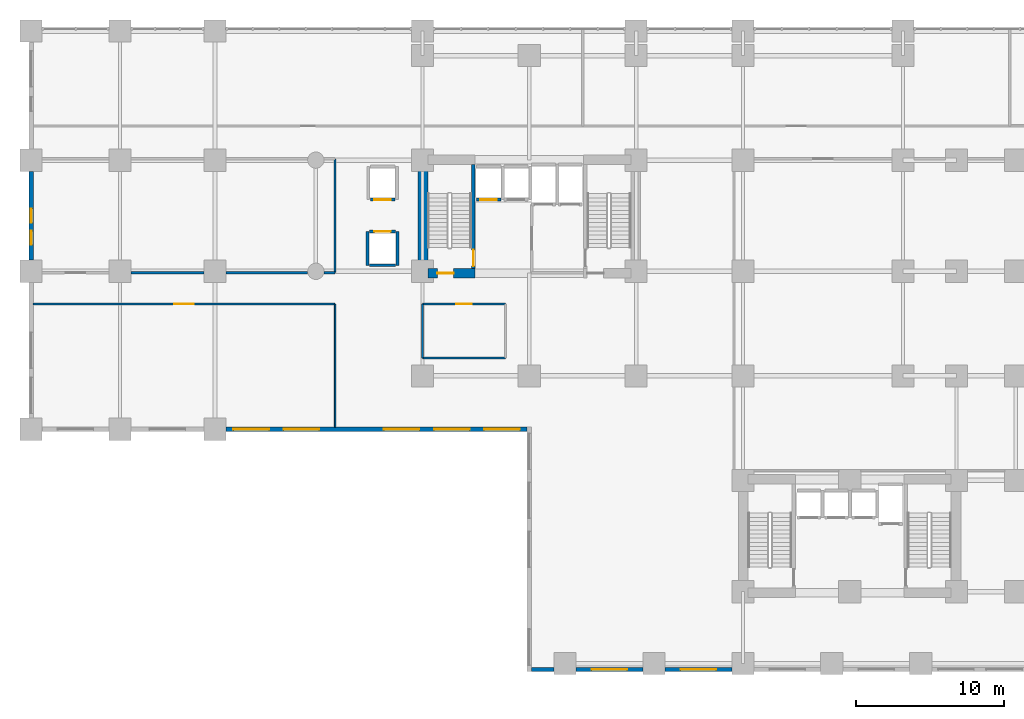
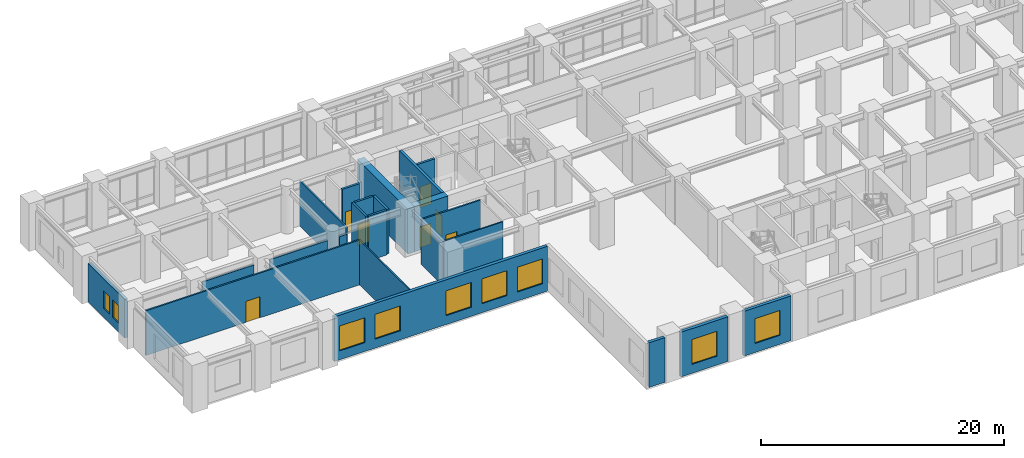
# One storey, part 15 of 22: 23 walls, 9 windows, 7 doors, 16 openings.
"""IFC4 building model written with IfcOpenShell, lengths in metres."""

from ifc_helpers import new_model, si_unit, direction, frame, frame_2d, origin, place, context, subcontext, project, spatial, rectangle, extrude, material, layer, layer_set, type_object, element, fill, save


model = new_model("IFC4")

# Units and contexts
model_context = context("Model", 3, precision=1e-05, world=origin(), true_north=direction((0.0, 1.0)))
body_context = subcontext(model_context, "Body", "Model", "MODEL_VIEW")
ifc_project = project(units=[si_unit("LENGTHUNIT", "METRE"), si_unit("AREAUNIT", "SQUARE_METRE"), si_unit("VOLUMEUNIT", "CUBIC_METRE"), si_unit("PLANEANGLEUNIT", "RADIAN"), si_unit("MASSUNIT", "GRAM", prefix="KILO")], contexts=[model_context])

# Site, building, storey
site_placement = place(None, origin())
site = spatial("IfcSite", under=ifc_project, at=site_placement, CompositionType="ELEMENT")
building_placement = place(site_placement, origin())
building = spatial("IfcBuilding", under=site, at=building_placement, Name="Kaliganga Portal Commons", CompositionType="ELEMENT")
storey_placement = place(building_placement, frame((0.0, 0.0, 5.39990234375)))
storey = spatial("IfcBuildingStorey", under=building, at=storey_placement, Name="L01", CompositionType="ELEMENT", Elevation=5.39990234375)

# Wall
ifc_material_1 = material(Name="Concrete C70/85", Category="concrete")
ifc_layer_1 = layer(ifc_material_1, 0.64990234375)
ifc_layer_set_1 = layer_set([ifc_layer_1], Name="Concrete C70/85")
wall_type_1 = type_object("IfcWallType", Name="WL-CORE-650", PredefinedType="SHEAR", material=ifc_layer_set_1)
wall_1_placement = place(storey_placement, frame((14.425048828125, 28.199951171875, 0.0), z_axis=(0.0, 0.0, 1.0), x_axis=(0.0, 1.0, 0.0)))
element("IfcWall", 1, at=wall_1_placement, inside=storey, type_object=wall_type_1, Name="Core A West Shear Wall L01", PredefinedType="SHEAR", context=body_context, shape_type="SweptSolid", body=[
    extrude(rectangle(XDim=8.300048828125, YDim=0.64990234375, at=frame_2d((4.14990234375, 0.0))), origin(), (0.0, 0.0, 1.0), 4.52001953125),
])

# Wall, opening, door
wall_2_placement = place(storey_placement, frame((14.75, 28.52490234375, 0.0), z_axis=(0.0, 0.0, 1.0), x_axis=(1.0, 0.0, 0.0)))
wall_2 = element("IfcWall", 2, at=wall_2_placement, inside=storey, type_object=wall_type_1, Name="Core A S-West Shear Wall L01", PredefinedType="SHEAR", context=body_context, shape_type="SweptSolid", body=[
    extrude(rectangle(XDim=3.199951171875, YDim=0.64990234375, at=frame_2d((1.60009765625, 0.0))), origin(), (0.0, 0.0, 1.0), 4.52001953125),
])
opening_1_placement = place(wall_2_placement, frame((0.64990234375, 0.0, 0.0)))
opening_1 = element("IfcOpeningElement", 3, at=opening_1_placement, cuts=wall_2, Name="Opening SD-01", PredefinedType="OPENING", context=body_context, shape_type="SweptSolid", body=[
    extrude(rectangle(XDim=1.10009765625, YDim=2.080078125, at=frame_2d((0.550048828125, 1.0400390625))), frame((0.0, 0.3349609375, 0.0), z_axis=(0.0, -1.0, 0.0), x_axis=(1.0, 0.0, 0.0)), (0.0, 0.0, 1.0), 0.669921875),
])
ifc_material_2 = material(Name="Galvanized Steel Fire Door Leaf and Frame", Category="steel")
door_type_1 = type_object("IfcDoorType", Name="DR-STAIR-1100", OperationType="NOTDEFINED", PredefinedType="DOOR", material=ifc_material_2)
door_1_placement = place(opening_1_placement, origin())
door_1 = element("IfcDoor", 4, at=door_1_placement, inside=storey, type_object=door_type_1, Name="Protected Stair ST-A1 Concourse Fire Door L01", OperationType="SINGLE_SWING_LEFT", OverallHeight=2.080078125, OverallWidth=1.10009765625, PredefinedType="DOOR", context=body_context, shape_type="SweptSolid", body=[
    extrude(rectangle(XDim=1.10009765625, YDim=2.080078125, at=frame_2d((0.550048828125, 1.0400390625))), frame((0.0, 0.02490234375, 0.0), z_axis=(0.0, -1.0, 0.0), x_axis=(1.0, 0.0, 0.0)), (0.0, 0.0, 1.0), 0.050048828125),
])
fill(opening_1, door_1)

# Wall
ifc_material_3 = material(Name="Precast concrete C40/50", Category="concrete")
ifc_layer_2 = layer(ifc_material_3, 0.300048828125)
ifc_layer_set_2 = layer_set([ifc_layer_2], Name="Precast concrete C40/50")
wall_type_2 = type_object("IfcWallType", Name="WL-EXT-POD-300", PredefinedType="STANDARD", material=ifc_layer_set_2)
wall_3_placement = place(storey_placement, frame((23.2490234375, 1.800048828125, 0.0), z_axis=(0.0, 0.0, 1.0), x_axis=(-1.0, 0.0, 0.0)))
element("IfcWall", 5, at=wall_3_placement, inside=storey, type_object=wall_type_2, Name="Exterior Envelope Wall L01 P1-E00-S1", PredefinedType="STANDARD", context=body_context, shape_type="SweptSolid", body=[
    extrude(rectangle(XDim=1.494140625, YDim=0.300048828125, at=frame_2d((0.7470703125, 0.0))), origin(), (0.0, 0.0, 1.0), 4.5),
])

# Wall, opening, window
wall_4_placement = place(storey_placement, frame((29.2490234375, 1.800048828125, 0.0), z_axis=(0.0, 0.0, 1.0), x_axis=(-1.0, 0.0, 0.0)))
wall_4 = element("IfcWall", 6, at=wall_4_placement, inside=storey, type_object=wall_type_2, Name="Exterior Envelope Wall L01 P1-E00-S2", PredefinedType="STANDARD", context=body_context, shape_type="SweptSolid", body=[
    extrude(rectangle(XDim=4.498046875, YDim=0.300048828125, at=frame_2d((2.2490234375, 0.0))), origin(), (0.0, 0.0, 1.0), 4.5),
])
opening_2_placement = place(wall_4_placement, frame((1.049072265625, 0.0, 0.89990234375)))
opening_2 = element("IfcOpeningElement", 7, at=opening_2_placement, cuts=wall_4, Name="Opening W-05", PredefinedType="OPENING", context=body_context, shape_type="SweptSolid", body=[
    extrude(rectangle(XDim=2.39990234375, YDim=2.5, at=frame_2d((1.199951171875, 1.25))), frame((0.0, 0.16015625, 0.0), z_axis=(0.0, -1.0, 0.0), x_axis=(1.0, 0.0, 0.0)), (0.0, 0.0, 1.0), 0.320068359375),
])
ifc_material_4 = material(Name="Thermally Broken Aluminium and Low-E Double Glazing", Category="aluminium")
window_type_1 = type_object("IfcWindowType", Name="WIN-POD-2400", PartitioningType="TRIPLE_PANEL_VERTICAL", PredefinedType="WINDOW", material=ifc_material_4)
window_1_placement = place(opening_2_placement, origin())
window_1 = element("IfcWindow", 8, at=window_1_placement, inside=storey, type_object=window_type_1, Name="Facade Window L01-P1E00S2-00", OverallHeight=2.5, OverallWidth=2.39990234375, PartitioningType="SINGLE_PANEL", PredefinedType="WINDOW", context=body_context, shape_type="SweptSolid", body=[
    extrude(rectangle(XDim=2.39990234375, YDim=2.5, at=frame_2d((1.199951171875, 1.25))), frame((0.0, 0.030029296875, 0.0), z_axis=(0.0, -1.0, 0.0), x_axis=(1.0, 0.0, 0.0)), (0.0, 0.0, 1.0), 0.06005859375),
])
fill(opening_2, window_1)

wall_5_placement = place(storey_placement, frame((35.2490234375, 1.800048828125, 0.0), z_axis=(0.0, 0.0, 1.0), x_axis=(-1.0, 0.0, 0.0)))
wall_5 = element("IfcWall", 9, at=wall_5_placement, inside=storey, type_object=wall_type_2, Name="Exterior Envelope Wall L01 P1-E00-S3", PredefinedType="STANDARD", context=body_context, shape_type="SweptSolid", body=[
    extrude(rectangle(XDim=4.498046875, YDim=0.300048828125, at=frame_2d((2.2490234375, 0.0))), origin(), (0.0, 0.0, 1.0), 4.5),
])
opening_3_placement = place(wall_5_placement, frame((1.049072265625, 0.0, 0.89990234375)))
opening_3 = element("IfcOpeningElement", 10, at=opening_3_placement, cuts=wall_5, Name="Opening W-05", PredefinedType="OPENING", context=body_context, shape_type="SweptSolid", body=[
    extrude(rectangle(XDim=2.39990234375, YDim=2.5, at=frame_2d((1.199951171875, 1.25))), frame((0.0, 0.16015625, 0.0), z_axis=(0.0, -1.0, 0.0), x_axis=(1.0, 0.0, 0.0)), (0.0, 0.0, 1.0), 0.320068359375),
])
window_2_placement = place(opening_3_placement, origin())
window_2 = element("IfcWindow", 11, at=window_2_placement, inside=storey, type_object=window_type_1, Name="Facade Window L01-P1E00S3-00", OverallHeight=2.5, OverallWidth=2.39990234375, PartitioningType="SINGLE_PANEL", PredefinedType="WINDOW", context=body_context, shape_type="SweptSolid", body=[
    extrude(rectangle(XDim=2.39990234375, YDim=2.5, at=frame_2d((1.199951171875, 1.25))), frame((0.0, 0.030029296875, 0.0), z_axis=(0.0, -1.0, 0.0), x_axis=(1.0, 0.0, 0.0)), (0.0, 0.0, 1.0), 0.06005859375),
])
fill(opening_3, window_2)

# Wall, openings, windows
wall_6_placement = place(storey_placement, frame((-12.0, 29.40087890625, 0.0), z_axis=(0.0, 0.0, 1.0), x_axis=(0.0, 1.0, 0.0)))
wall_6 = element("IfcWall", 12, at=wall_6_placement, inside=storey, type_object=wall_type_2, Name="Exterior Envelope Wall L01 P1-E03-S2", PredefinedType="STANDARD", context=body_context, shape_type="SweptSolid", body=[
    extrude(rectangle(XDim=5.998046875, YDim=0.300048828125, at=frame_2d((2.9990234375, 0.0))), origin(), (0.0, 0.0, 1.0), 3.900146484375),
])
opening_4_placement = place(wall_6_placement, frame((2.52392578125, 0.0, 0.89990234375)))
opening_4 = element("IfcOpeningElement", 13, at=opening_4_placement, cuts=wall_6, Name="Opening W-04", PredefinedType="OPENING", context=body_context, shape_type="SweptSolid", body=[
    extrude(rectangle(XDim=0.949951171875, YDim=1.75, at=frame_2d((0.47509765625, 0.875))), frame((0.0, 0.16015625, 0.0), z_axis=(0.0, -1.0, 0.0), x_axis=(1.0, 0.0, 0.0)), (0.0, 0.0, 1.0), 0.320068359375),
])
opening_5_placement = place(wall_6_placement, frame((1.03662109375, 0.0, 0.89990234375)))
opening_5 = element("IfcOpeningElement", 14, at=opening_5_placement, cuts=wall_6, Name="Opening W-04", PredefinedType="OPENING", context=body_context, shape_type="SweptSolid", body=[
    extrude(rectangle(XDim=0.949951171875, YDim=1.75, at=frame_2d((0.47509765625, 0.875))), frame((0.0, 0.16015625, 0.0), z_axis=(0.0, -1.0, 0.0), x_axis=(1.0, 0.0, 0.0)), (0.0, 0.0, 1.0), 0.320068359375),
])
window_type_2 = type_object("IfcWindowType", Name="WIN-NARROW-950", PartitioningType="SINGLE_PANEL", PredefinedType="WINDOW", material=ifc_material_4)
window_3_placement = place(opening_4_placement, origin())
window_3 = element("IfcWindow", 15, at=window_3_placement, inside=storey, type_object=window_type_2, Name="Facade Window L01-P1E03S2-N0", OverallHeight=1.75, OverallWidth=0.949951171875, PartitioningType="SINGLE_PANEL", PredefinedType="WINDOW", context=body_context, shape_type="SweptSolid", body=[
    extrude(rectangle(XDim=0.949951171875, YDim=1.75, at=frame_2d((0.47509765625, 0.875))), frame((0.0, 0.030029296875, 0.0), z_axis=(0.0, -1.0, 0.0), x_axis=(1.0, 0.0, 0.0)), (0.0, 0.0, 1.0), 0.06005859375),
])
fill(opening_4, window_3)
window_4_placement = place(opening_5_placement, origin())
window_4 = element("IfcWindow", 16, at=window_4_placement, inside=storey, type_object=window_type_2, Name="Facade Window L01-P1E03S2-N1", OverallHeight=1.75, OverallWidth=0.949951171875, PartitioningType="SINGLE_PANEL", PredefinedType="WINDOW", context=body_context, shape_type="SweptSolid", body=[
    extrude(rectangle(XDim=0.949951171875, YDim=1.75, at=frame_2d((0.47509765625, 0.875))), frame((0.0, 0.030029296875, 0.0), z_axis=(0.0, -1.0, 0.0), x_axis=(1.0, 0.0, 0.0)), (0.0, 0.0, 1.0), 0.06005859375),
])
fill(opening_5, window_4)

wall_7_placement = place(storey_placement, frame((21.445068359375, 18.0, 0.0), z_axis=(0.0, 0.0, 1.0), x_axis=(-1.0, 0.0, 0.0)))
wall_7 = element("IfcWall", 17, at=wall_7_placement, inside=storey, type_object=wall_type_2, Name="Exterior Envelope Wall L01 P1-E04-S3", PredefinedType="STANDARD", context=body_context, shape_type="SweptSolid", body=[
    extrude(rectangle(XDim=20.294189453125, YDim=0.300048828125, at=frame_2d((10.14697265625, 0.0))), origin(), (0.0, 0.0, 1.0), 4.5),
])
opening_6_placement = place(wall_7_placement, frame((0.4912109375, 0.0, 0.89990234375)))
opening_6 = element("IfcOpeningElement", 18, at=opening_6_placement, cuts=wall_7, Name="Opening W-05", PredefinedType="OPENING", context=body_context, shape_type="SweptSolid", body=[
    extrude(rectangle(XDim=2.39990234375, YDim=2.5, at=frame_2d((1.199951171875, 1.25))), frame((0.0, 0.16015625, 0.0), z_axis=(0.0, -1.0, 0.0), x_axis=(1.0, 0.0, 0.0)), (0.0, 0.0, 1.0), 0.320068359375),
])
opening_7_placement = place(wall_7_placement, frame((3.87353515625, 0.0, 0.89990234375)))
opening_7 = element("IfcOpeningElement", 19, at=opening_7_placement, cuts=wall_7, Name="Opening W-05", PredefinedType="OPENING", context=body_context, shape_type="SweptSolid", body=[
    extrude(rectangle(XDim=2.39990234375, YDim=2.5, at=frame_2d((1.199951171875, 1.25))), frame((0.0, 0.16015625, 0.0), z_axis=(0.0, -1.0, 0.0), x_axis=(1.0, 0.0, 0.0)), (0.0, 0.0, 1.0), 0.320068359375),
])
opening_8_placement = place(wall_7_placement, frame((7.255859375, 0.0, 0.89990234375)))
opening_8 = element("IfcOpeningElement", 20, at=opening_8_placement, cuts=wall_7, Name="Opening W-05", PredefinedType="OPENING", context=body_context, shape_type="SweptSolid", body=[
    extrude(rectangle(XDim=2.39990234375, YDim=2.5, at=frame_2d((1.199951171875, 1.25))), frame((0.0, 0.16015625, 0.0), z_axis=(0.0, -1.0, 0.0), x_axis=(1.0, 0.0, 0.0)), (0.0, 0.0, 1.0), 0.320068359375),
])
opening_9_placement = place(wall_7_placement, frame((14.0205078125, 0.0, 0.89990234375)))
opening_9 = element("IfcOpeningElement", 21, at=opening_9_placement, cuts=wall_7, Name="Opening W-05", PredefinedType="OPENING", context=body_context, shape_type="SweptSolid", body=[
    extrude(rectangle(XDim=2.39990234375, YDim=2.5, at=frame_2d((1.199951171875, 1.25))), frame((0.0, 0.16015625, 0.0), z_axis=(0.0, -1.0, 0.0), x_axis=(1.0, 0.0, 0.0)), (0.0, 0.0, 1.0), 0.320068359375),
])
opening_10_placement = place(wall_7_placement, frame((17.40283203125, 0.0, 0.89990234375)))
opening_10 = element("IfcOpeningElement", 22, at=opening_10_placement, cuts=wall_7, Name="Opening W-05", PredefinedType="OPENING", context=body_context, shape_type="SweptSolid", body=[
    extrude(rectangle(XDim=2.39990234375, YDim=2.5, at=frame_2d((1.199951171875, 1.25))), frame((0.0, 0.16015625, 0.0), z_axis=(0.0, -1.0, 0.0), x_axis=(1.0, 0.0, 0.0)), (0.0, 0.0, 1.0), 0.320068359375),
])
window_5_placement = place(opening_6_placement, origin())
window_5 = element("IfcWindow", 23, at=window_5_placement, inside=storey, type_object=window_type_1, Name="Facade Window L01-P1E04S3-00", OverallHeight=2.5, OverallWidth=2.39990234375, PartitioningType="SINGLE_PANEL", PredefinedType="WINDOW", context=body_context, shape_type="SweptSolid", body=[
    extrude(rectangle(XDim=2.39990234375, YDim=2.5, at=frame_2d((1.199951171875, 1.25))), frame((0.0, 0.030029296875, 0.0), z_axis=(0.0, -1.0, 0.0), x_axis=(1.0, 0.0, 0.0)), (0.0, 0.0, 1.0), 0.06005859375),
])
fill(opening_6, window_5)
window_6_placement = place(opening_7_placement, origin())
window_6 = element("IfcWindow", 24, at=window_6_placement, inside=storey, type_object=window_type_1, Name="Facade Window L01-P1E04S3-01", OverallHeight=2.5, OverallWidth=2.39990234375, PartitioningType="SINGLE_PANEL", PredefinedType="WINDOW", context=body_context, shape_type="SweptSolid", body=[
    extrude(rectangle(XDim=2.39990234375, YDim=2.5, at=frame_2d((1.199951171875, 1.25))), frame((0.0, 0.030029296875, 0.0), z_axis=(0.0, -1.0, 0.0), x_axis=(1.0, 0.0, 0.0)), (0.0, 0.0, 1.0), 0.06005859375),
])
fill(opening_7, window_6)
window_7_placement = place(opening_8_placement, origin())
window_7 = element("IfcWindow", 25, at=window_7_placement, inside=storey, type_object=window_type_1, Name="Facade Window L01-P1E04S3-02", OverallHeight=2.5, OverallWidth=2.39990234375, PartitioningType="SINGLE_PANEL", PredefinedType="WINDOW", context=body_context, shape_type="SweptSolid", body=[
    extrude(rectangle(XDim=2.39990234375, YDim=2.5, at=frame_2d((1.199951171875, 1.25))), frame((0.0, 0.030029296875, 0.0), z_axis=(0.0, -1.0, 0.0), x_axis=(1.0, 0.0, 0.0)), (0.0, 0.0, 1.0), 0.06005859375),
])
fill(opening_8, window_7)
window_8_placement = place(opening_9_placement, origin())
window_8 = element("IfcWindow", 26, at=window_8_placement, inside=storey, type_object=window_type_1, Name="Facade Window L01-P1E04S3-04", OverallHeight=2.5, OverallWidth=2.39990234375, PartitioningType="SINGLE_PANEL", PredefinedType="WINDOW", context=body_context, shape_type="SweptSolid", body=[
    extrude(rectangle(XDim=2.39990234375, YDim=2.5, at=frame_2d((1.199951171875, 1.25))), frame((0.0, 0.030029296875, 0.0), z_axis=(0.0, -1.0, 0.0), x_axis=(1.0, 0.0, 0.0)), (0.0, 0.0, 1.0), 0.06005859375),
])
fill(opening_9, window_8)
window_9_placement = place(opening_10_placement, origin())
window_9 = element("IfcWindow", 27, at=window_9_placement, inside=storey, type_object=window_type_1, Name="Facade Window L01-P1E04S3-05", OverallHeight=2.5, OverallWidth=2.39990234375, PartitioningType="SINGLE_PANEL", PredefinedType="WINDOW", context=body_context, shape_type="SweptSolid", body=[
    extrude(rectangle(XDim=2.39990234375, YDim=2.5, at=frame_2d((1.199951171875, 1.25))), frame((0.0, 0.030029296875, 0.0), z_axis=(0.0, -1.0, 0.0), x_axis=(1.0, 0.0, 0.0)), (0.0, 0.0, 1.0), 0.06005859375),
])
fill(opening_10, window_9)

# Wall, opening, door
ifc_material_5 = material(Name="Fire-Rated Gypsum Board on Steel Stud", Category="steel")
ifc_layer_3 = layer(ifc_material_5, 0.14990234375)
ifc_layer_set_3 = layer_set([ifc_layer_3], Name="Fire-Rated Gypsum Board on Steel Stud")
wall_type_3 = type_object("IfcWallType", Name="WL-PART-CORR-150", PredefinedType="PARTITIONING", material=ifc_layer_set_3)
wall_8_placement = place(storey_placement, frame((-11.867919921875, 26.43994140625, 0.0), z_axis=(0.0, 0.0, 1.0), x_axis=(1.0, 0.0, 0.0)))
wall_8 = element("IfcWall", 28, at=wall_8_placement, inside=storey, type_object=wall_type_3, Name="Interior Partition L01-012", PredefinedType="PARTITIONING", context=body_context, shape_type="SweptSolid", body=[
    extrude(rectangle(XDim=20.367919921875, YDim=0.14990234375, at=frame_2d((10.18408203125, 0.0))), origin(), (0.0, 0.0, 1.0), 4.5),
])
opening_11_placement = place(wall_8_placement, frame((9.533935546875, 0.0, 0.0)))
opening_11 = element("IfcOpeningElement", 29, at=opening_11_placement, cuts=wall_8, Name="Opening RD-03", PredefinedType="OPENING", context=body_context, shape_type="SweptSolid", body=[
    extrude(rectangle(XDim=1.300048828125, YDim=2.1201171875, at=frame_2d((0.64990234375, 1.06005859375))), frame((0.0, 0.0849609375, 0.0), z_axis=(0.0, -1.0, 0.0), x_axis=(1.0, 0.0, 0.0)), (0.0, 0.0, 1.0), 0.169921875),
])
ifc_material_6 = material(Name="Glazed Timber Seminar Vision Door", Category="wood")
door_type_2 = type_object("IfcDoorType", Name="DR-STUDY-1300", OperationType="DOUBLE_DOOR_SINGLE_SWING", PredefinedType="DOOR", material=ifc_material_6)
door_2_placement = place(opening_11_placement, origin())
door_2 = element("IfcDoor", 30, at=door_2_placement, inside=storey, type_object=door_type_2, Name="Interior Door L01-SEMINAR", OperationType="DOUBLE_DOOR_SINGLE_SWING", OverallHeight=2.1201171875, OverallWidth=1.300048828125, PredefinedType="DOOR", context=body_context, shape_type="SweptSolid", body=[
    extrude(rectangle(XDim=1.300048828125, YDim=2.1201171875, at=frame_2d((0.64990234375, 1.06005859375))), frame((0.0, 0.02490234375, 0.0), z_axis=(0.0, -1.0, 0.0), x_axis=(1.0, 0.0, 0.0)), (0.0, 0.0, 1.0), 0.050048828125),
])
fill(opening_11, door_2)

# Walls
wall_9_placement = place(storey_placement, frame((-5.25, 28.56005859375, 0.0), z_axis=(0.0, 0.0, 1.0), x_axis=(1.0, 0.0, 0.0)))
element("IfcWall", 31, at=wall_9_placement, inside=storey, type_object=wall_type_3, Name="Interior Partition L01-014", PredefinedType="PARTITIONING", context=body_context, shape_type="SweptSolid", body=[
    extrude(rectangle(XDim=4.89990234375, YDim=0.14990234375, at=frame_2d((2.449951171875, 0.0))), origin(), (0.0, 0.0, 1.0), 3.800048828125),
])
wall_10_placement = place(storey_placement, frame((1.14990234375, 28.56005859375, 0.0), z_axis=(0.0, 0.0, 1.0), x_axis=(1.0, 0.0, 0.0)))
element("IfcWall", 32, at=wall_10_placement, inside=storey, type_object=wall_type_3, Name="Interior Partition L01-015", PredefinedType="PARTITIONING", context=body_context, shape_type="SweptSolid", body=[
    extrude(rectangle(XDim=5.5, YDim=0.14990234375, at=frame_2d((2.75, 0.0))), origin(), (0.0, 0.0, 1.0), 3.800048828125),
])
wall_11_placement = place(storey_placement, frame((7.75, 28.56005859375, 0.0), z_axis=(0.0, 0.0, 1.0), x_axis=(1.0, 0.0, 0.0)))
element("IfcWall", 33, at=wall_11_placement, inside=storey, type_object=wall_type_3, Name="Interior Partition L01-016", PredefinedType="PARTITIONING", context=body_context, shape_type="SweptSolid", body=[
    extrude(rectangle(XDim=0.75, YDim=0.14990234375, at=frame_2d((0.375, 0.0))), origin(), (0.0, 0.0, 1.0), 3.800048828125),
])
wall_12_placement = place(storey_placement, frame((8.5, 28.56005859375, 0.0), z_axis=(0.0, 0.0, 1.0), x_axis=(0.0, 1.0, 0.0)))
element("IfcWall", 34, at=wall_12_placement, inside=storey, type_object=wall_type_3, Name="Interior Partition L01-022", PredefinedType="PARTITIONING", context=body_context, shape_type="SweptSolid", body=[
    extrude(rectangle(XDim=7.679931640625, YDim=0.14990234375, at=frame_2d((3.83984375, 0.0))), origin(), (0.0, 0.0, 1.0), 4.5),
])

# Wall, opening, door
wall_13_placement = place(storey_placement, frame((14.39990234375, 26.43994140625, 0.0), z_axis=(0.0, 0.0, 1.0), x_axis=(1.0, 0.0, 0.0)))
wall_13 = element("IfcWall", 35, at=wall_13_placement, inside=storey, type_object=wall_type_3, Name="Interior Partition L01-023", PredefinedType="PARTITIONING", context=body_context, shape_type="SweptSolid", body=[
    extrude(rectangle(XDim=5.60009765625, YDim=0.14990234375, at=frame_2d((2.800048828125, 0.0))), origin(), (0.0, 0.0, 1.0), 4.5),
])
opening_12_placement = place(wall_13_placement, frame((2.27490234375, 0.0, 0.0)))
opening_12 = element("IfcOpeningElement", 36, at=opening_12_placement, cuts=wall_13, Name="Opening UD-02", PredefinedType="OPENING", context=body_context, shape_type="SweptSolid", body=[
    extrude(rectangle(XDim=1.050048828125, YDim=2.1201171875, at=frame_2d((0.52490234375, 1.06005859375))), frame((0.0, 0.0849609375, 0.0), z_axis=(0.0, -1.0, 0.0), x_axis=(1.0, 0.0, 0.0)), (0.0, 0.0, 1.0), 0.169921875),
])
ifc_material_7 = material(Name="Accessible Wide-Leaf Acoustic Fire Door", Category="wood")
door_type_3 = type_object("IfcDoorType", Name="DR-ACC-1050", OperationType="NOTDEFINED", PredefinedType="DOOR", material=ifc_material_7)
door_3_placement = place(opening_12_placement, origin())
door_3 = element("IfcDoor", 37, at=door_3_placement, inside=storey, type_object=door_type_3, Name="Interior Door L01-L01WC", OperationType="SINGLE_SWING_LEFT", OverallHeight=2.1201171875, OverallWidth=1.050048828125, PredefinedType="DOOR", context=body_context, shape_type="SweptSolid", body=[
    extrude(rectangle(XDim=1.050048828125, YDim=2.1201171875, at=frame_2d((0.52490234375, 1.06005859375))), frame((0.0, 0.02490234375, 0.0), z_axis=(0.0, -1.0, 0.0), x_axis=(1.0, 0.0, 0.0)), (0.0, 0.0, 1.0), 0.050048828125),
])
fill(opening_12, door_3)

# Walls
ifc_material_8 = material(Name="Moisture-Resistant Gypsum Partition", Category="gypsum")
ifc_layer_4 = layer(ifc_material_8, 0.114990234375)
ifc_layer_set_4 = layer_set([ifc_layer_4], Name="Moisture-Resistant Gypsum Partition")
wall_type_4 = type_object("IfcWallType", Name="WL-PART-ROOM-115", PredefinedType="PARTITIONING", material=ifc_layer_set_4)
wall_14_placement = place(storey_placement, frame((8.5, 18.132080078125, 0.0), z_axis=(0.0, 0.0, 1.0), x_axis=(0.0, 1.0, 0.0)))
element("IfcWall", 38, at=wall_14_placement, inside=storey, type_object=wall_type_4, Name="Interior Partition L01-030", PredefinedType="PARTITIONING", context=body_context, shape_type="SweptSolid", body=[
    extrude(rectangle(XDim=8.307861328125, YDim=0.114990234375, at=frame_2d((4.15380859375, 0.0))), origin(), (0.0, 0.0, 1.0), 4.5),
])
ifc_material_9 = material(Name="Cement-Board Wet-Room Partition", Category="gypsum")
ifc_layer_5 = layer(ifc_material_9, 0.135009765625)
ifc_layer_set_5 = layer_set([ifc_layer_5], Name="Cement-Board Wet-Room Partition")
wall_type_5 = type_object("IfcWallType", Name="WL-PART-WET-135", PredefinedType="PARTITIONING", material=ifc_layer_set_5)
wall_15_placement = place(storey_placement, frame((14.39990234375, 22.800048828125, 0.0), z_axis=(0.0, 0.0, 1.0), x_axis=(1.0, 0.0, 0.0)))
element("IfcWall", 39, at=wall_15_placement, inside=storey, type_object=wall_type_5, Name="Interior Partition L01-033", PredefinedType="PARTITIONING", context=body_context, shape_type="SweptSolid", body=[
    extrude(rectangle(XDim=5.60009765625, YDim=0.135009765625, at=frame_2d((2.800048828125, 0.0))), origin(), (0.0, 0.0, 1.0), 4.5),
])
wall_16_placement = place(storey_placement, frame((14.39990234375, 22.800048828125, 0.0), z_axis=(0.0, 0.0, 1.0), x_axis=(0.0, 1.0, 0.0)))
element("IfcWall", 40, at=wall_16_placement, inside=storey, type_object=wall_type_5, Name="Interior Partition L01-035", PredefinedType="PARTITIONING", context=body_context, shape_type="SweptSolid", body=[
    extrude(rectangle(XDim=3.639892578125, YDim=0.135009765625, at=frame_2d((1.81982421875, 0.0))), origin(), (0.0, 0.0, 1.0), 3.900146484375),
])

# Wall, opening, door
ifc_material_10 = material(Name="Fire-Rated Shaftwall Masonry Assembly", Category="masonry")
ifc_layer_6 = layer(ifc_material_10, 0.199951171875)
ifc_layer_set_6 = layer_set([ifc_layer_6], Name="Fire-Rated Shaftwall Masonry Assembly")
wall_type_6 = type_object("IfcWallType", Name="WL-SHAFT-200", PredefinedType="PARTITIONING", material=ifc_layer_set_6)
wall_17_placement = place(storey_placement, frame((18.02490234375, 33.485107421875, 0.0), z_axis=(0.0, 0.0, 1.0), x_axis=(1.0, 0.0, 0.0)))
wall_17 = element("IfcWall", 41, at=wall_17_placement, inside=storey, type_object=wall_type_6, Name="Lift PL-A1 Hoistway Shaft Wall L01-S", PredefinedType="PARTITIONING", context=body_context, shape_type="SweptSolid", body=[
    extrude(rectangle(XDim=1.650146484375, YDim=0.199951171875, at=frame_2d((0.8251953125, 0.0))), origin(), (0.0, 0.0, 1.0), 4.5),
])
opening_13_placement = place(wall_17_placement, frame((0.27490234375, 0.0, 0.0)))
opening_13 = element("IfcOpeningElement", 42, at=opening_13_placement, cuts=wall_17, Name="Opening LD-01", PredefinedType="OPENING", context=body_context, shape_type="SweptSolid", body=[
    extrude(rectangle(XDim=1.10009765625, YDim=2.1201171875, at=frame_2d((0.550048828125, 1.06005859375))), frame((0.0, 0.10986328125, 0.0), z_axis=(0.0, -1.0, 0.0), x_axis=(1.0, 0.0, 0.0)), (0.0, 0.0, 1.0), 0.219970703125),
])
ifc_material_11 = material(Name="Brushed Stainless Steel 316 Lift Landing Door", Category="steel")
door_type_4 = type_object("IfcDoorType", Name="DR-LIFT-1100", OperationType="SLIDING_TO_LEFT", PredefinedType="DOOR", material=ifc_material_11)
door_4_placement = place(opening_13_placement, origin())
door_4 = element("IfcDoor", 43, at=door_4_placement, inside=storey, type_object=door_type_4, Name="Lift PL-A1 Sliding Landing Door L01", OperationType="SLIDING_TO_LEFT", OverallHeight=2.1201171875, OverallWidth=1.10009765625, PredefinedType="DOOR", context=body_context, shape_type="SweptSolid", body=[
    extrude(rectangle(XDim=1.10009765625, YDim=2.1201171875, at=frame_2d((0.550048828125, 1.06005859375))), frame((0.0, 0.02490234375, 0.0), z_axis=(0.0, -1.0, 0.0), x_axis=(1.0, 0.0, 0.0)), (0.0, 0.0, 1.0), 0.050048828125),
])
fill(opening_13, door_4)

# Wall
wall_18_placement = place(storey_placement, frame((10.824951171875, 29.06005859375, 0.0), z_axis=(0.0, 0.0, 1.0), x_axis=(1.0, 0.0, 0.0)))
element("IfcWall", 44, at=wall_18_placement, inside=storey, type_object=wall_type_6, Name="Lift SH-1 Hoistway Shaft Wall L01-S", PredefinedType="PARTITIONING", context=body_context, shape_type="SweptSolid", body=[
    extrude(rectangle(XDim=1.75, YDim=0.199951171875, at=frame_2d((0.875, 0.0))), origin(), (0.0, 0.0, 1.0), 4.5),
])

# Wall, opening, door
wall_19_placement = place(storey_placement, frame((10.824951171875, 31.340087890625, 0.0), z_axis=(0.0, 0.0, 1.0), x_axis=(1.0, 0.0, 0.0)))
wall_19 = element("IfcWall", 45, at=wall_19_placement, inside=storey, type_object=wall_type_6, Name="Lift SH-1 Hoistway Shaft Wall L01-N", PredefinedType="PARTITIONING", context=body_context, shape_type="SweptSolid", body=[
    extrude(rectangle(XDim=1.75, YDim=0.199951171875, at=frame_2d((0.875, 0.0))), origin(), (0.0, 0.0, 1.0), 4.5),
])
opening_14_placement = place(wall_19_placement, frame((0.324951171875, 0.0, 0.0)))
opening_14 = element("IfcOpeningElement", 46, at=opening_14_placement, cuts=wall_19, Name="Opening LD-01", PredefinedType="OPENING", context=body_context, shape_type="SweptSolid", body=[
    extrude(rectangle(XDim=1.10009765625, YDim=2.1201171875, at=frame_2d((0.550048828125, 1.06005859375))), frame((0.0, 0.10986328125, 0.0), z_axis=(0.0, -1.0, 0.0), x_axis=(1.0, 0.0, 0.0)), (0.0, 0.0, 1.0), 0.219970703125),
])
door_5_placement = place(opening_14_placement, origin())
door_5 = element("IfcDoor", 47, at=door_5_placement, inside=storey, type_object=door_type_4, Name="Lift SH-1 Sliding Landing Door L01", OperationType="SLIDING_TO_LEFT", OverallHeight=2.1201171875, OverallWidth=1.10009765625, PredefinedType="DOOR", context=body_context, shape_type="SweptSolid", body=[
    extrude(rectangle(XDim=1.10009765625, YDim=2.1201171875, at=frame_2d((0.550048828125, 1.06005859375))), frame((0.0, 0.02490234375, 0.0), z_axis=(0.0, -1.0, 0.0), x_axis=(1.0, 0.0, 0.0)), (0.0, 0.0, 1.0), 0.050048828125),
])
fill(opening_14, door_5)

# Walls
for number, where, z_axis, x_axis, name in (
    (48, (10.68505859375, 29.06005859375, 0.0), (0.0, 0.0, 1.0), (0.0, 1.0, 0.0), "Lift SH-1 Hoistway Shaft Wall L01-W"),
    (49, (12.715087890625, 29.06005859375, 0.0), (0.0, 0.0, 1.0), (0.0, 1.0, 0.0), "Lift SH-1 Hoistway Shaft Wall L01-E"),
):
    element("IfcWall", number, at=place(storey_placement, frame(where, z_axis=z_axis, x_axis=x_axis)), inside=storey, type_object=wall_type_6, Name=name, PredefinedType="PARTITIONING", context=body_context, shape_type="SweptSolid", body=[
        extrude(rectangle(XDim=2.280029296875, YDim=0.199951171875, at=frame_2d((1.14013671875, 0.0))), origin(), (0.0, 0.0, 1.0), 4.5),
    ])

# Wall, opening, door
wall_20_placement = place(storey_placement, frame((10.875, 33.485107421875, 0.0), z_axis=(0.0, 0.0, 1.0), x_axis=(1.0, 0.0, 0.0)))
wall_20 = element("IfcWall", 50, at=wall_20_placement, inside=storey, type_object=wall_type_6, Name="Lift PL-OBS Hoistway Shaft Wall L01-S", PredefinedType="PARTITIONING", context=body_context, shape_type="SweptSolid", body=[
    extrude(rectangle(XDim=1.64990234375, YDim=0.199951171875, at=frame_2d((0.824951171875, 0.0))), origin(), (0.0, 0.0, 1.0), 4.5),
])
opening_15_placement = place(wall_20_placement, frame((0.27490234375, 0.0, 0.0)))
opening_15 = element("IfcOpeningElement", 51, at=opening_15_placement, cuts=wall_20, Name="Opening LD-01", PredefinedType="OPENING", context=body_context, shape_type="SweptSolid", body=[
    extrude(rectangle(XDim=1.10009765625, YDim=2.1201171875, at=frame_2d((0.550048828125, 1.06005859375))), frame((0.0, 0.10986328125, 0.0), z_axis=(0.0, -1.0, 0.0), x_axis=(1.0, 0.0, 0.0)), (0.0, 0.0, 1.0), 0.219970703125),
])
door_6_placement = place(opening_15_placement, origin())
door_6 = element("IfcDoor", 52, at=door_6_placement, inside=storey, type_object=door_type_4, Name="Lift PL-OBS Sliding Landing Door L01", OperationType="SLIDING_TO_LEFT", OverallHeight=2.1201171875, OverallWidth=1.10009765625, PredefinedType="DOOR", context=body_context, shape_type="SweptSolid", body=[
    extrude(rectangle(XDim=1.10009765625, YDim=2.1201171875, at=frame_2d((0.550048828125, 1.06005859375))), frame((0.0, 0.02490234375, 0.0), z_axis=(0.0, -1.0, 0.0), x_axis=(1.0, 0.0, 0.0)), (0.0, 0.0, 1.0), 0.050048828125),
])
fill(opening_15, door_6)

ifc_material_12 = material(Name="Concrete C50/60", Category="concrete")
ifc_layer_7 = layer(ifc_material_12, 0.25)
ifc_layer_set_7 = layer_set([ifc_layer_7], Name="Concrete C50/60")
wall_type_7 = type_object("IfcWallType", Name="WL-STAIR-250", PredefinedType="SHEAR", material=ifc_layer_set_7)
wall_21_placement = place(storey_placement, frame((17.824951171875, 28.85009765625, 0.0), z_axis=(0.0, 0.0, 1.0), x_axis=(0.0, 1.0, 0.0)))
wall_21 = element("IfcWall", 53, at=wall_21_placement, inside=storey, type_object=wall_type_7, Name="Stair A1 Enclosure Shear Wall L01", PredefinedType="SHEAR", context=body_context, shape_type="SweptSolid", body=[
    extrude(rectangle(XDim=7.0, YDim=0.25, at=frame_2d((3.5, 0.0))), origin(), (0.0, 0.0, 1.0), 4.52001953125),
])
opening_16_placement = place(wall_21_placement, frame((0.14990234375, 0.0, 0.0)))
opening_16 = element("IfcOpeningElement", 54, at=opening_16_placement, cuts=wall_21, Name="Opening SD-01", PredefinedType="OPENING", context=body_context, shape_type="SweptSolid", body=[
    extrude(rectangle(XDim=1.10009765625, YDim=2.080078125, at=frame_2d((0.550048828125, 1.0400390625))), frame((0.0, 0.135009765625, 0.0), z_axis=(0.0, -1.0, 0.0), x_axis=(1.0, 0.0, 0.0)), (0.0, 0.0, 1.0), 0.27001953125),
])
door_7_placement = place(opening_16_placement, origin())
door_7 = element("IfcDoor", 55, at=door_7_placement, inside=storey, type_object=door_type_1, Name="Protected Stair ST-A1 Fire Door L01", OperationType="SINGLE_SWING_LEFT", OverallHeight=2.080078125, OverallWidth=1.10009765625, PredefinedType="DOOR", context=body_context, shape_type="SweptSolid", body=[
    extrude(rectangle(XDim=1.10009765625, YDim=2.080078125, at=frame_2d((0.550048828125, 1.0400390625))), frame((0.0, 0.02490234375, 0.0), z_axis=(0.0, -1.0, 0.0), x_axis=(1.0, 0.0, 0.0)), (0.0, 0.0, 1.0), 0.050048828125),
])
fill(opening_16, door_7)

save(model, "model.ifc")
